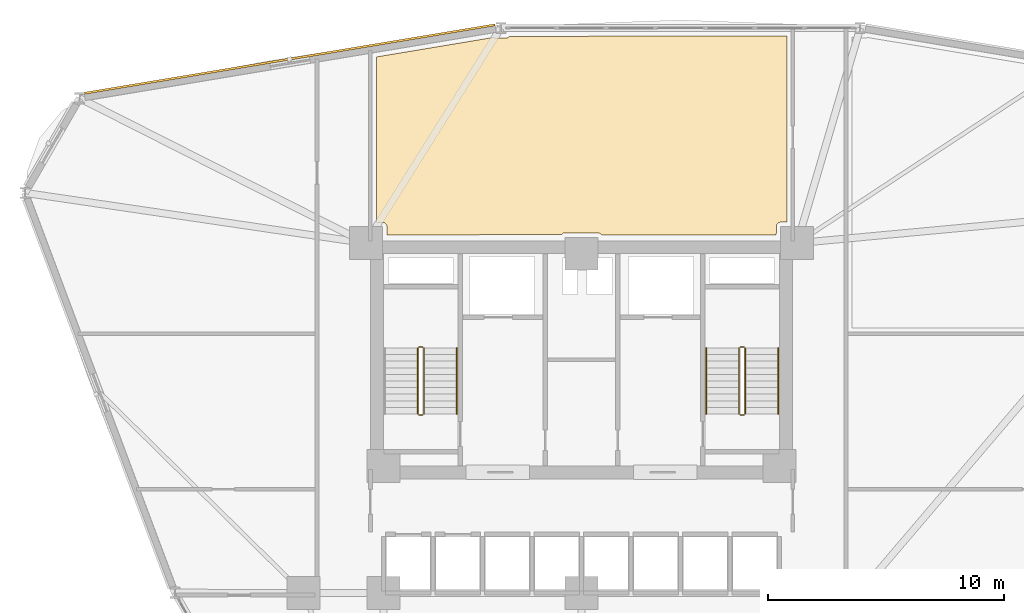
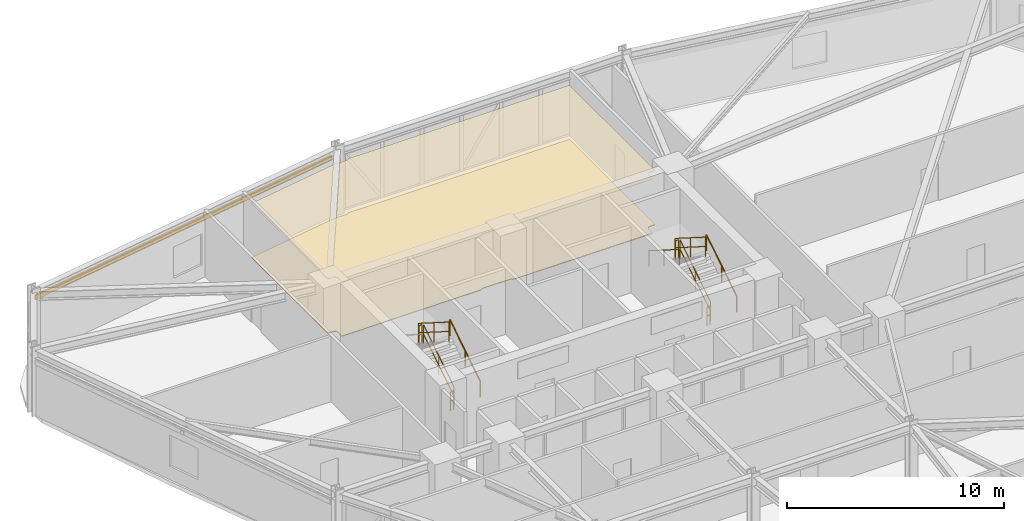
# One storey, part 19 of 20: 11 railings, 2 coverings, 1 shading device.
"""IFC4 building model written with IfcOpenShell, lengths in metres."""

from ifc_helpers import new_model, si_unit, derived_unit, direction, frame, origin, origin_2d, place, context, subcontext, project, spatial, polyline, hollow_rectangle, circle, outline, extrude, source, transform, mapped, material, layer, layer_set, material_profile, profile_set, type_object, element, save


model = new_model("IFC4")

# Units and contexts
model_context = context("Model", 3, precision=1e-05, world=origin(), true_north=direction((0.0, 1.0)))
body_context = subcontext(model_context, "Body", "Model", "MODEL_VIEW")
ifc_project = project(units=[si_unit("LENGTHUNIT", "METRE"), si_unit("AREAUNIT", "SQUARE_METRE"), si_unit("VOLUMEUNIT", "CUBIC_METRE"), si_unit("PLANEANGLEUNIT", "RADIAN"), si_unit("MASSUNIT", "GRAM", prefix="KILO"), derived_unit("THERMALTRANSMITTANCEUNIT", [(si_unit("POWERUNIT", "WATT"), 1), (si_unit("LENGTHUNIT", "METRE"), -2), (si_unit("THERMODYNAMICTEMPERATUREUNIT", "KELVIN"), -1)])], contexts=[model_context])

# Site, building, storey
site_placement = place(None, origin())
site = spatial("IfcSite", under=ifc_project, at=site_placement, CompositionType="ELEMENT")
building_placement = place(site_placement, origin())
building = spatial("IfcBuilding", under=site, at=building_placement, Name="Korsvarv Bourse and Concert Hall", CompositionType="ELEMENT")
storey_placement = place(building_placement, frame((0.0, 0.0, 67.800048828125)))
storey = spatial("IfcBuildingStorey", under=building, at=storey_placement, Name="L16", CompositionType="ELEMENT", Elevation=67.800048828125)

# Coverings
ifc_material_1 = material(Name="Perforated mineral-wool and birch acoustic baffle ceiling", Category="wood")
ifc_layer_1 = layer(ifc_material_1, 0.02490234375)
ifc_layer_set_1 = layer_set([ifc_layer_1], Name="Perforated mineral-wool and birch acoustic baffle ceiling")
covering_type_1 = type_object("IfcCoveringType", Name="COV-CEIL-1", PredefinedType="CEILING", material=ifc_layer_set_1)
covering_1_placement = place(storey_placement, frame((0.0, 0.0, 3.06005859375)))
element("IfcCovering", 1, at=covering_1_placement, inside=storey, type_object=covering_type_1, Name="L16 acoustic baffle ceiling 3", PredefinedType="CEILING", context=body_context, shape_type="SweptSolid", body=[
    extrude(outline(polyline([(32.266845703125, 55.98095703125), (32.2958984375, 55.968505859375), (32.329833984375, 55.961181640625), (32.78125, 55.94970703125), (32.81640625, 55.952392578125), (32.8505859375, 55.962158203125), (32.882080078125, 55.97802734375), (32.91015625, 56.0), (32.93310546875, 56.027099609375), (44.7099609375, 56.036865234375), (44.7099609375, 48.139892578125), (44.449951171875, 48.139892578125), (44.415283203125, 48.13671875), (44.3818359375, 48.126708984375), (44.35107421875, 48.1103515625), (44.323974609375, 48.08837890625), (44.301513671875, 48.061767578125), (44.28466796875, 48.03125), (44.274169921875, 47.998046875), (44.27001953125, 47.96337890625), (44.26318359375, 47.60009765625), (36.859619140625, 47.60009765625), (36.837646484375, 47.626708984375), (36.810791015625, 47.649169921875), (36.77978515625, 47.666015625), (36.74609375, 47.67626953125), (36.711181640625, 47.679931640625), (35.30126953125, 47.68994140625), (35.266357421875, 47.686767578125), (35.232421875, 47.677001953125), (35.201416015625, 47.66064453125), (35.174072265625, 47.638427734375), (35.1513671875, 47.611572265625), (27.739990234375, 47.60009765625), (27.739990234375, 47.949951171875), (27.736572265625, 47.984619140625), (27.726806640625, 48.01806640625), (27.71044921875, 48.048828125), (27.688720703125, 48.075927734375), (27.662109375, 48.098388671875), (27.631591796875, 48.114990234375), (27.598388671875, 48.125732421875), (27.56396484375, 48.1298828125), (27.2900390625, 48.135986328125), (27.2900390625, 55.151611328125), (32.266845703125, 55.98095703125)])), origin(), (0.0, 0.0, 1.0), 0.02490234375),
])
ifc_material_2 = material(Name="Calcium-sulphate raised access trading floor with Nordic oak top", Category="wood")
ifc_layer_2 = layer(ifc_material_2, 0.0400390625)
ifc_layer_set_2 = layer_set([ifc_layer_2], Name="Calcium-sulphate raised access trading floor with Nordic oak top")
covering_type_2 = type_object("IfcCoveringType", Name="COV-FLOR-1", PredefinedType="FLOORING", material=ifc_layer_set_2)
covering_2_placement = place(storey_placement, origin())
element("IfcCovering", 2, at=covering_2_placement, inside=storey, type_object=covering_type_2, Name="L16 raised access oak floor finish 3", PredefinedType="FLOORING", context=body_context, shape_type="SweptSolid", body=[
    extrude(outline(polyline([(32.266845703125, 55.98095703125), (32.2958984375, 55.968505859375), (32.329833984375, 55.961181640625), (32.78125, 55.94970703125), (32.81640625, 55.952392578125), (32.8505859375, 55.962158203125), (32.882080078125, 55.97802734375), (32.91015625, 56.0), (32.93310546875, 56.027099609375), (44.7099609375, 56.036865234375), (44.7099609375, 48.139892578125), (44.449951171875, 48.139892578125), (44.415283203125, 48.13671875), (44.3818359375, 48.126708984375), (44.35107421875, 48.1103515625), (44.323974609375, 48.08837890625), (44.301513671875, 48.061767578125), (44.28466796875, 48.03125), (44.274169921875, 47.998046875), (44.27001953125, 47.96337890625), (44.26318359375, 47.60009765625), (36.859619140625, 47.60009765625), (36.837646484375, 47.626708984375), (36.810791015625, 47.649169921875), (36.77978515625, 47.666015625), (36.74609375, 47.67626953125), (36.711181640625, 47.679931640625), (35.30126953125, 47.68994140625), (35.266357421875, 47.686767578125), (35.232421875, 47.677001953125), (35.201416015625, 47.66064453125), (35.174072265625, 47.638427734375), (35.1513671875, 47.611572265625), (27.739990234375, 47.60009765625), (27.739990234375, 47.949951171875), (27.736572265625, 47.984619140625), (27.726806640625, 48.01806640625), (27.71044921875, 48.048828125), (27.688720703125, 48.075927734375), (27.662109375, 48.098388671875), (27.631591796875, 48.114990234375), (27.598388671875, 48.125732421875), (27.56396484375, 48.1298828125), (27.2900390625, 48.135986328125), (27.2900390625, 55.151611328125), (32.266845703125, 55.98095703125)])), origin(), (0.0, 0.0, 1.0), 0.0400390625),
])

# Railings
ifc_material_3 = material(Name="Painted Steel S355 stair well guardrail", Category="steel")
railing_type_1 = type_object("IfcRailingType", Name="RL-ST-GRD", PredefinedType="GUARDRAIL", material=ifc_material_3)
railing_1_placement = place(storey_placement, frame((29.31005859375, 40.0, 0.17724609375)))
element("IfcRailing", 3, at=railing_1_placement, inside=storey, type_object=railing_type_1, Name="L16 ST-T1 stair guard 1", PredefinedType="GUARDRAIL", context=body_context, shape_type="SweptSolid", body=[
    extrude(circle(Radius=0.02392578125, at=origin_2d()), frame((0.0, 0.0, 1.076171875), z_axis=(0.0, 0.844908973607, 0.534910110503), x_axis=(-1.0, 0.0, 0.0)), (0.0, 0.0, 1.0), 3.31396484375),
    extrude(circle(Radius=0.02392578125, at=origin_2d()), frame((0.0, 0.0, 0.550048828125), z_axis=(0.0, 0.844908973607, 0.534910110503), x_axis=(-1.0, 0.0, 0.0)), (0.0, 0.0, 1.0), 3.31396484375),
    extrude(circle(Radius=0.02099609375, at=origin_2d()), origin(), (0.0, 0.0, 1.0), 1.052001953125),
    extrude(circle(Radius=0.02099609375, at=origin_2d()), frame((0.0, 1.39990234375, 0.88623046875)), (0.0, 0.0, 1.0), 1.052001953125),
    extrude(circle(Radius=0.02099609375, at=origin_2d()), frame((0.0, 2.800048828125, 1.772705078125)), (0.0, 0.0, 1.0), 1.052001953125),
])
railing_2_placement = place(storey_placement, frame((29.260009765625, 42.85009765625, 1.949951171875)))
element("IfcRailing", 4, at=railing_2_placement, inside=storey, type_object=railing_type_1, Name="L16 ST-T1 stair guard 2", PredefinedType="GUARDRAIL", context=body_context, shape_type="SweptSolid", body=[
    extrude(circle(Radius=0.02392578125, at=origin_2d()), frame((0.0, 0.0, 1.076171875), z_axis=(-1.0, 0.0, 0.0), x_axis=(0.0, -1.0, 0.0)), (0.0, 0.0, 1.0), 0.159912109375),
    extrude(circle(Radius=0.02392578125, at=origin_2d()), frame((0.0, 0.0, 0.550048828125), z_axis=(-1.0, 0.0, 0.0), x_axis=(0.0, -1.0, 0.0)), (0.0, 0.0, 1.0), 0.159912109375),
    extrude(circle(Radius=0.02099609375, at=origin_2d()), origin(), (0.0, 0.0, 1.0), 1.052001953125),
    extrude(circle(Radius=0.02099609375, at=origin_2d()), frame((-0.159912109375, 0.0, 0.0)), (0.0, 0.0, 1.0), 1.052001953125),
])
railing_3_placement = place(storey_placement, frame((29.050048828125, 42.800048828125, 2.127197265625)))
element("IfcRailing", 5, at=railing_3_placement, inside=storey, type_object=railing_type_1, Name="L16 ST-T1 stair guard 3", PredefinedType="GUARDRAIL", context=body_context, shape_type="SweptSolid", body=[
    extrude(circle(Radius=0.02392578125, at=origin_2d()), frame((0.0, 0.0, 1.076171875), z_axis=(0.0, -0.844908973607, 0.534910110503), x_axis=(1.0, 0.0, 0.0)), (0.0, 0.0, 1.0), 3.31396484375),
    extrude(circle(Radius=0.02392578125, at=origin_2d()), frame((0.0, 0.0, 0.550048828125), z_axis=(0.0, -0.844908973607, 0.534910110503), x_axis=(1.0, 0.0, 0.0)), (0.0, 0.0, 1.0), 3.31396484375),
    extrude(circle(Radius=0.02099609375, at=origin_2d()), origin(), (0.0, 0.0, 1.0), 1.052001953125),
    extrude(circle(Radius=0.02099609375, at=origin_2d()), frame((0.0, -1.39990234375, 0.88623046875)), (0.0, 0.0, 1.0), 1.052001953125),
    extrude(circle(Radius=0.02099609375, at=origin_2d()), frame((0.0, -2.800048828125, 1.772705078125)), (0.0, 0.0, 1.0), 1.052001953125),
])
railing_4_placement = place(storey_placement, frame((29.260009765625, 39.949951171875, 0.0)))
element("IfcRailing", 6, at=railing_4_placement, inside=storey, type_object=railing_type_1, Name="L16 ST-T1 stair guard 4", PredefinedType="GUARDRAIL", context=body_context, shape_type="SweptSolid", body=[
    extrude(circle(Radius=0.02392578125, at=origin_2d()), frame((0.0, 0.0, 1.076171875), z_axis=(-1.0, 0.0, 0.0), x_axis=(0.0, -1.0, 0.0)), (0.0, 0.0, 1.0), 0.159912109375),
    extrude(circle(Radius=0.02392578125, at=origin_2d()), frame((0.0, 0.0, 0.550048828125), z_axis=(-1.0, 0.0, 0.0), x_axis=(0.0, -1.0, 0.0)), (0.0, 0.0, 1.0), 0.159912109375),
    extrude(circle(Radius=0.02099609375, at=origin_2d()), origin(), (0.0, 0.0, 1.0), 1.052001953125),
    extrude(circle(Radius=0.02099609375, at=origin_2d()), frame((-0.159912109375, 0.0, 0.0)), (0.0, 0.0, 1.0), 1.052001953125),
])
railing_5_placement = place(storey_placement, frame((42.949951171875, 40.0, 0.17724609375)))
element("IfcRailing", 7, at=railing_5_placement, inside=storey, type_object=railing_type_1, Name="L16 ST-T2 stair guard 1", PredefinedType="GUARDRAIL", context=body_context, shape_type="SweptSolid", body=[
    extrude(circle(Radius=0.02392578125, at=origin_2d()), frame((0.0, 0.0, 1.076171875), z_axis=(0.0, 0.844908973607, 0.534910110503), x_axis=(-1.0, 0.0, 0.0)), (0.0, 0.0, 1.0), 3.31396484375),
    extrude(circle(Radius=0.02392578125, at=origin_2d()), frame((0.0, 0.0, 0.550048828125), z_axis=(0.0, 0.844908973607, 0.534910110503), x_axis=(-1.0, 0.0, 0.0)), (0.0, 0.0, 1.0), 3.31396484375),
    extrude(circle(Radius=0.02099609375, at=origin_2d()), origin(), (0.0, 0.0, 1.0), 1.052001953125),
    extrude(circle(Radius=0.02099609375, at=origin_2d()), frame((0.0, 1.39990234375, 0.88623046875)), (0.0, 0.0, 1.0), 1.052001953125),
    extrude(circle(Radius=0.02099609375, at=origin_2d()), frame((0.0, 2.800048828125, 1.772705078125)), (0.0, 0.0, 1.0), 1.052001953125),
])
railing_6_placement = place(storey_placement, frame((42.89990234375, 42.85009765625, 1.949951171875)))
element("IfcRailing", 8, at=railing_6_placement, inside=storey, type_object=railing_type_1, Name="L16 ST-T2 stair guard 2", PredefinedType="GUARDRAIL", context=body_context, shape_type="SweptSolid", body=[
    extrude(circle(Radius=0.02392578125, at=origin_2d()), frame((0.0, 0.0, 1.076171875), z_axis=(-1.0, 0.0, 0.0), x_axis=(0.0, -1.0, 0.0)), (0.0, 0.0, 1.0), 0.159912109375),
    extrude(circle(Radius=0.02392578125, at=origin_2d()), frame((0.0, 0.0, 0.550048828125), z_axis=(-1.0, 0.0, 0.0), x_axis=(0.0, -1.0, 0.0)), (0.0, 0.0, 1.0), 0.159912109375),
    extrude(circle(Radius=0.02099609375, at=origin_2d()), origin(), (0.0, 0.0, 1.0), 1.052001953125),
    extrude(circle(Radius=0.02099609375, at=origin_2d()), frame((-0.159912109375, 0.0, 0.0)), (0.0, 0.0, 1.0), 1.052001953125),
])
railing_7_placement = place(storey_placement, frame((42.68994140625, 42.800048828125, 2.127197265625)))
element("IfcRailing", 9, at=railing_7_placement, inside=storey, type_object=railing_type_1, Name="L16 ST-T2 stair guard 3", PredefinedType="GUARDRAIL", context=body_context, shape_type="SweptSolid", body=[
    extrude(circle(Radius=0.02392578125, at=origin_2d()), frame((0.0, 0.0, 1.076171875), z_axis=(0.0, -0.844908973607, 0.534910110503), x_axis=(1.0, 0.0, 0.0)), (0.0, 0.0, 1.0), 3.31396484375),
    extrude(circle(Radius=0.02392578125, at=origin_2d()), frame((0.0, 0.0, 0.550048828125), z_axis=(0.0, -0.844908973607, 0.534910110503), x_axis=(1.0, 0.0, 0.0)), (0.0, 0.0, 1.0), 3.31396484375),
    extrude(circle(Radius=0.02099609375, at=origin_2d()), origin(), (0.0, 0.0, 1.0), 1.052001953125),
    extrude(circle(Radius=0.02099609375, at=origin_2d()), frame((0.0, -1.39990234375, 0.88623046875)), (0.0, 0.0, 1.0), 1.052001953125),
    extrude(circle(Radius=0.02099609375, at=origin_2d()), frame((0.0, -2.800048828125, 1.772705078125)), (0.0, 0.0, 1.0), 1.052001953125),
])
railing_8_placement = place(storey_placement, frame((42.89990234375, 39.949951171875, 0.0)))
element("IfcRailing", 10, at=railing_8_placement, inside=storey, type_object=railing_type_1, Name="L16 ST-T2 stair guard 4", PredefinedType="GUARDRAIL", context=body_context, shape_type="SweptSolid", body=[
    extrude(circle(Radius=0.02392578125, at=origin_2d()), frame((0.0, 0.0, 1.076171875), z_axis=(-1.0, 0.0, 0.0), x_axis=(0.0, -1.0, 0.0)), (0.0, 0.0, 1.0), 0.159912109375),
    extrude(circle(Radius=0.02392578125, at=origin_2d()), frame((0.0, 0.0, 0.550048828125), z_axis=(-1.0, 0.0, 0.0), x_axis=(0.0, -1.0, 0.0)), (0.0, 0.0, 1.0), 0.159912109375),
    extrude(circle(Radius=0.02099609375, at=origin_2d()), origin(), (0.0, 0.0, 1.0), 1.052001953125),
    extrude(circle(Radius=0.02099609375, at=origin_2d()), frame((-0.159912109375, 0.0, 0.0)), (0.0, 0.0, 1.0), 1.052001953125),
])
ifc_material_4 = material(Name="Brushed stainless Steel S355 tubular handrail", Category="steel")
railing_type_2 = type_object("IfcRailingType", Name="RL-ST-HND", PredefinedType="HANDRAIL", material=ifc_material_4)
for number, where, name in (
    (11, (30.7099609375, 40.0, 0.17724609375), "L16 ST-T1 stair handrail 1"),
    (12, (44.35009765625, 40.0, 0.17724609375), "L16 ST-T2 stair handrail 1"),
):
    element("IfcRailing", number, at=place(storey_placement, frame(where)), inside=storey, type_object=railing_type_2, Name=name, PredefinedType="HANDRAIL", context=body_context, shape_type="SweptSolid", body=[
        extrude(circle(Radius=0.02392578125, at=origin_2d()), frame((0.0, 0.0, 0.8759765625), z_axis=(0.0, 0.844908973607, 0.534910110503), x_axis=(-1.0, 0.0, 0.0)), (0.0, 0.0, 1.0), 3.31396484375),
        extrude(circle(Radius=0.02099609375, at=origin_2d()), origin(), (0.0, 0.0, 1.0), 0.851806640625),
        extrude(circle(Radius=0.02099609375, at=origin_2d()), frame((0.0, 1.39990234375, 0.88623046875)), (0.0, 0.0, 1.0), 0.851806640625),
        extrude(circle(Radius=0.02099609375, at=origin_2d()), frame((0.0, 2.800048828125, 1.772705078125)), (0.0, 0.0, 1.0), 0.851806640625),
    ])
railing_9_placement = place(storey_placement, frame((41.2900390625, 42.800048828125, 2.127197265625)))
element("IfcRailing", 13, at=railing_9_placement, inside=storey, type_object=railing_type_2, Name="L16 ST-T2 stair handrail 2", PredefinedType="HANDRAIL", context=body_context, shape_type="SweptSolid", body=[
    extrude(circle(Radius=0.02392578125, at=origin_2d()), frame((0.0, 0.0, 0.8759765625), z_axis=(0.0, -0.844908973607, 0.534910110503), x_axis=(1.0, 0.0, 0.0)), (0.0, 0.0, 1.0), 3.31396484375),
    extrude(circle(Radius=0.02099609375, at=origin_2d()), origin(), (0.0, 0.0, 1.0), 0.851806640625),
    extrude(circle(Radius=0.02099609375, at=origin_2d()), frame((0.0, -1.39990234375, 0.88623046875)), (0.0, 0.0, 1.0), 0.851806640625),
    extrude(circle(Radius=0.02099609375, at=origin_2d()), frame((0.0, -2.800048828125, 1.772705078125)), (0.0, 0.0, 1.0), 0.851806640625),
])

# Shading device
ifc_material_5 = material(Name="Glazed extruded architectural terracotta", Category="ceramic")
ifc_material_profile = material_profile(ifc_material_5, hollow_rectangle(XDim=0.090087890625, YDim=0.260009765625, WallThickness=0.011962890625, at=origin_2d()), Name="TC-BAG 90x260")
ifc_profile_set = profile_set([ifc_material_profile], Name="Glazed extruded architectural terracotta")
shading_device_type = type_object("IfcShadingDeviceType", Name="SHD-BAG-1", PredefinedType="USERDEFINED", material=ifc_profile_set)
shared_shape = source(origin(), body_context, "Body", "SweptSolid", [
    extrude(hollow_rectangle(XDim=0.090087890625, YDim=0.260009765625, WallThickness=0.011962890625, at=origin_2d()), origin(), (0.0, 0.0, 1.0), 17.677490234375),
])
shading_device_placement = place(storey_placement, frame((32.327392578125, 56.51318359375, 3.070068359375), z_axis=(-0.986399895449, -0.16436315359, 0.0), x_axis=(0.16436315359, -0.986399895449, 0.0)))
element("IfcShadingDevice", 14, at=shading_device_placement, inside=storey, type_object=shading_device_type, Name="L16 terracotta baguette sunshade EW-L16-B04", ObjectType="BAGUETTE", PredefinedType="USERDEFINED", context=body_context, shape_type="MappedRepresentation", body=[
    mapped(shared_shape, transform((0.0, 0.0, 0.0), scale=1.0)),
])

save(model, "model.ifc")
